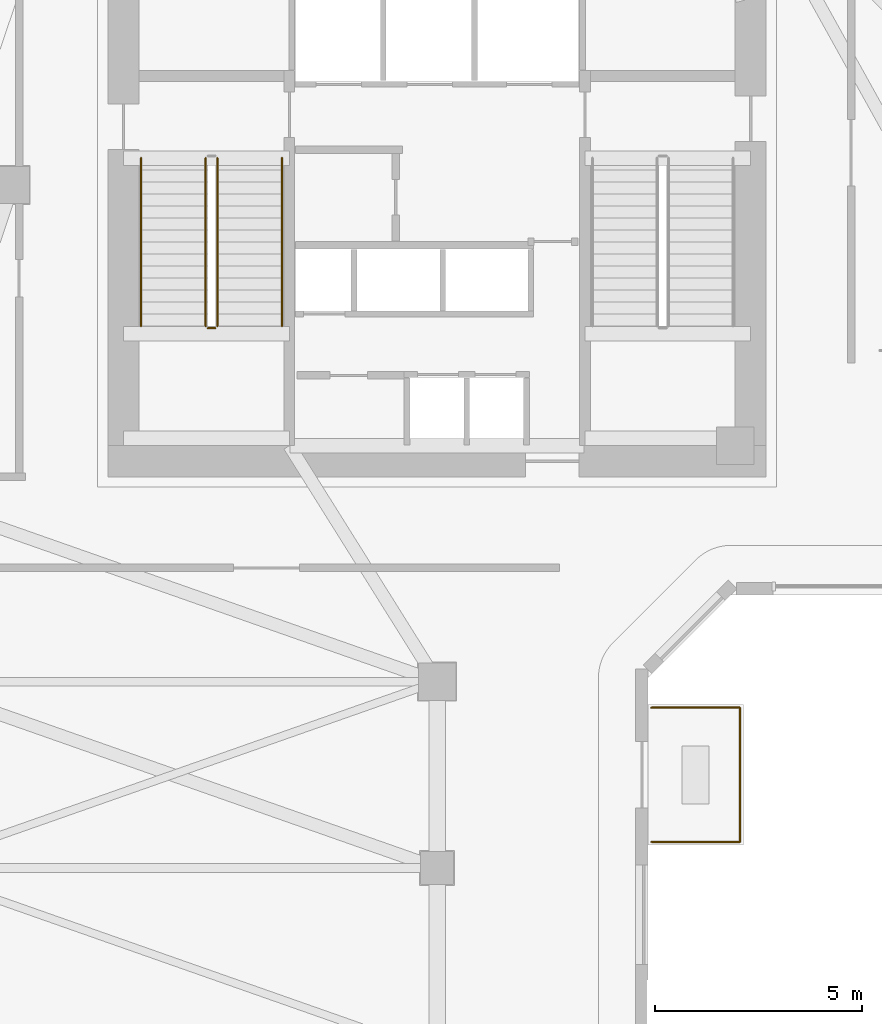
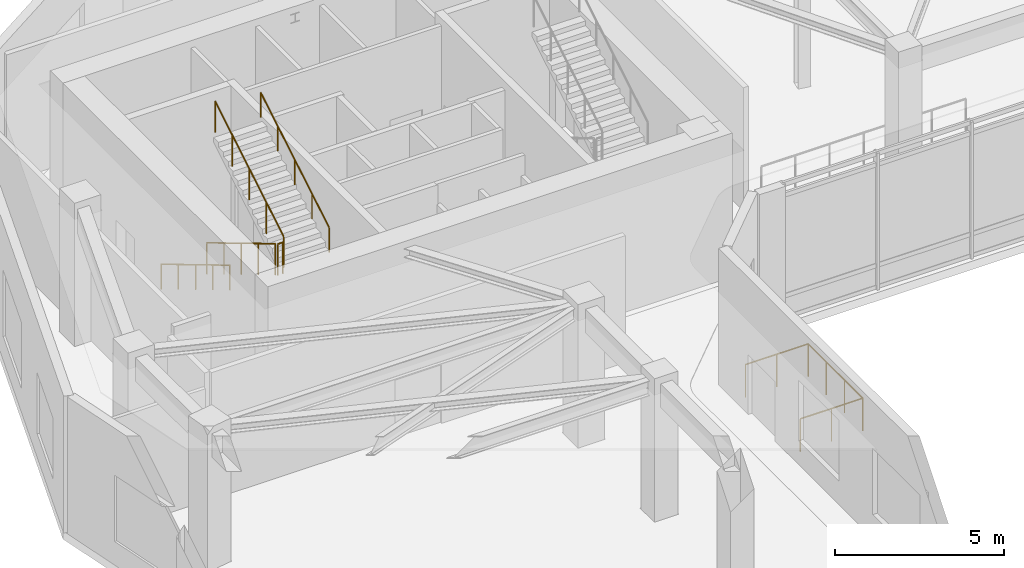
# One storey, part 7 of 9: 8 railings.
"""IFC4 building model written with IfcOpenShell, lengths in metres."""

from ifc_helpers import new_model, si_unit, direction, frame, origin, origin_2d, place, context, subcontext, project, spatial, circle, extrude, material, type_object, element, save


model = new_model("IFC4")

# Units and contexts
model_context = context("Model", 3, precision=1e-05, world=origin(), true_north=direction((0.0, 1.0)))
body_context = subcontext(model_context, "Body", "Model", "MODEL_VIEW")
ifc_project = project(units=[si_unit("LENGTHUNIT", "METRE"), si_unit("AREAUNIT", "SQUARE_METRE"), si_unit("VOLUMEUNIT", "CUBIC_METRE"), si_unit("PLANEANGLEUNIT", "RADIAN"), si_unit("MASSUNIT", "GRAM", prefix="KILO")], contexts=[model_context])

# Site, building, storey
site_placement = place(None, origin())
site = spatial("IfcSite", under=ifc_project, at=site_placement, CompositionType="ELEMENT")
building_placement = place(site_placement, origin())
building = spatial("IfcBuilding", under=site, at=building_placement, Name="Calvemar Wedge Station Tower", CompositionType="ELEMENT")
storey_placement = place(building_placement, frame((0.0, 0.0, 105.39990234375)))
storey = spatial("IfcBuildingStorey", under=building, at=storey_placement, Name="L25", CompositionType="ELEMENT", Elevation=105.39990234375)

# Railings
ifc_material_1 = material(Name="Stainless steel AISI 316L", Category="steel")
railing_type_1 = type_object("IfcRailingType", Name="GRD-TERR-1200", PredefinedType="GUARDRAIL", material=ifc_material_1)
railing_1_placement = place(storey_placement, frame((28.97607421875, 27.8701171875, 0.0)))
element("IfcRailing", 1, at=railing_1_placement, inside=storey, type_object=railing_type_1, Name="Storey L25 Spiral Terrace Guard 2", PredefinedType="GUARDRAIL", context=body_context, shape_type="SweptSolid", body=[
    extrude(circle(Radius=0.02392578125, at=origin_2d()), frame((0.0, 0.0, 1.17578125), z_axis=(1.0, 0.0, 0.0), x_axis=(0.0, 1.0, 0.0)), (0.0, 0.0, 1.0), 2.139892578125),
    extrude(circle(Radius=0.02099609375, at=origin_2d()), origin(), (0.0, 0.0, 1.0), 1.15185546875),
    extrude(circle(Radius=0.02099609375, at=origin_2d()), frame((1.06982421875, 0.0, 0.0)), (0.0, 0.0, 1.0), 1.15185546875),
    extrude(circle(Radius=0.02099609375, at=origin_2d()), frame((2.139892578125, 0.0, 0.0)), (0.0, 0.0, 1.0), 1.15185546875),
])
railing_2_placement = place(storey_placement, frame((31.115966796875, 27.8701171875, 0.0)))
element("IfcRailing", 2, at=railing_2_placement, inside=storey, type_object=railing_type_1, Name="Storey L25 Spiral Terrace Guard 3", PredefinedType="GUARDRAIL", context=body_context, shape_type="SweptSolid", body=[
    extrude(circle(Radius=0.02392578125, at=origin_2d()), frame((0.0, 0.0, 1.17578125), z_axis=(0.0, -1.0, 0.0), x_axis=(1.0, 0.0, 0.0)), (0.0, 0.0, 1.0), 3.240234375),
    extrude(circle(Radius=0.02099609375, at=origin_2d()), origin(), (0.0, 0.0, 1.0), 1.15185546875),
    extrude(circle(Radius=0.02099609375, at=origin_2d()), frame((0.0, -1.080078125, 0.0)), (0.0, 0.0, 1.0), 1.15185546875),
    extrude(circle(Radius=0.02099609375, at=origin_2d()), frame((0.0, -2.16015625, 0.0)), (0.0, 0.0, 1.0), 1.15185546875),
    extrude(circle(Radius=0.02099609375, at=origin_2d()), frame((0.0, -3.240234375, 0.0)), (0.0, 0.0, 1.0), 1.15185546875),
])
railing_3_placement = place(storey_placement, frame((31.115966796875, 24.6298828125, 0.0)))
element("IfcRailing", 3, at=railing_3_placement, inside=storey, type_object=railing_type_1, Name="Storey L25 Spiral Terrace Guard 4", PredefinedType="GUARDRAIL", context=body_context, shape_type="SweptSolid", body=[
    extrude(circle(Radius=0.02392578125, at=origin_2d()), frame((0.0, 0.0, 1.17578125), z_axis=(-1.0, 0.0, 0.0), x_axis=(0.0, -1.0, 0.0)), (0.0, 0.0, 1.0), 2.139892578125),
    extrude(circle(Radius=0.02099609375, at=origin_2d()), origin(), (0.0, 0.0, 1.0), 1.15185546875),
    extrude(circle(Radius=0.02099609375, at=origin_2d()), frame((-1.06982421875, 0.0, 0.0)), (0.0, 0.0, 1.0), 1.15185546875),
    extrude(circle(Radius=0.02099609375, at=origin_2d()), frame((-2.139892578125, 0.0, 0.0)), (0.0, 0.0, 1.0), 1.15185546875),
])
railing_type_2 = type_object("IfcRailingType", Name="RL-HANDRAIL-920", PredefinedType="HANDRAIL", material=ifc_material_1)
railing_4_placement = place(storey_placement, frame((16.64990234375, 41.14990234375, 0.17333984375)))
element("IfcRailing", 4, at=railing_4_placement, inside=storey, type_object=railing_type_2, Name="L25 ST-C1 stair handrail 1", PredefinedType="HANDRAIL", context=body_context, shape_type="SweptSolid", body=[
    extrude(circle(Radius=0.02392578125, at=origin_2d()), frame((0.0, 0.0, 0.89599609375), z_axis=(0.0, -0.858343435637, 0.513075575815), x_axis=(1.0, 0.0, 0.0)), (0.0, 0.0, 1.0), 4.729736328125),
    extrude(circle(Radius=0.02099609375, at=origin_2d()), origin(), (0.0, 0.0, 1.0), 0.871826171875),
    extrude(circle(Radius=0.02099609375, at=origin_2d()), frame((0.0, -1.014892578125, 0.606689453125)), (0.0, 0.0, 1.0), 0.871826171875),
    extrude(circle(Radius=0.02099609375, at=origin_2d()), frame((0.0, -2.02978515625, 1.21337890625)), (0.0, 0.0, 1.0), 0.871826171875),
    extrude(circle(Radius=0.02099609375, at=origin_2d()), frame((0.0, -3.044921875, 1.820068359375)), (0.0, 0.0, 1.0), 0.871826171875),
    extrude(circle(Radius=0.02099609375, at=origin_2d()), frame((0.0, -4.059814453125, 2.4267578125)), (0.0, 0.0, 1.0), 0.871826171875),
])
railing_5_placement = place(storey_placement, frame((20.050048828125, 37.090087890625, 2.7734375)))
element("IfcRailing", 5, at=railing_5_placement, inside=storey, type_object=railing_type_2, Name="L25 ST-C1 stair handrail 2", PredefinedType="HANDRAIL", context=body_context, shape_type="SweptSolid", body=[
    extrude(circle(Radius=0.02392578125, at=origin_2d()), frame((0.0, 0.0, 0.89599609375), z_axis=(0.0, 0.858343435637, 0.513075575815), x_axis=(-1.0, 0.0, 0.0)), (0.0, 0.0, 1.0), 4.729736328125),
    extrude(circle(Radius=0.02099609375, at=origin_2d()), origin(), (0.0, 0.0, 1.0), 0.871826171875),
    extrude(circle(Radius=0.02099609375, at=origin_2d()), frame((0.0, 1.014892578125, 0.606689453125)), (0.0, 0.0, 1.0), 0.871826171875),
    extrude(circle(Radius=0.02099609375, at=origin_2d()), frame((0.0, 2.02978515625, 1.21337890625)), (0.0, 0.0, 1.0), 0.871826171875),
    extrude(circle(Radius=0.02099609375, at=origin_2d()), frame((0.0, 3.044921875, 1.820068359375)), (0.0, 0.0, 1.0), 0.871826171875),
    extrude(circle(Radius=0.02099609375, at=origin_2d()), frame((0.0, 4.059814453125, 2.4267578125)), (0.0, 0.0, 1.0), 0.871826171875),
])
ifc_material_2 = material(Name="Painted steel guardrail ASTM A500 Grade C", Category="steel")
railing_type_3 = type_object("IfcRailingType", Name="RL-STAIR-GUARD-1150", PredefinedType="GUARDRAIL", material=ifc_material_2)
railing_6_placement = place(storey_placement, frame((18.2099609375, 41.14990234375, 0.17333984375)))
element("IfcRailing", 6, at=railing_6_placement, inside=storey, type_object=railing_type_3, Name="L25 ST-C1 stair guard 1", PredefinedType="GUARDRAIL", context=body_context, shape_type="SweptSolid", body=[
    extrude(circle(Radius=0.02392578125, at=origin_2d()), frame((0.0, 0.0, 1.1259765625), z_axis=(0.0, -0.858343435637, 0.513075575815), x_axis=(1.0, 0.0, 0.0)), (0.0, 0.0, 1.0), 4.729736328125),
    extrude(circle(Radius=0.02099609375, at=origin_2d()), origin(), (0.0, 0.0, 1.0), 1.101806640625),
    extrude(circle(Radius=0.02099609375, at=origin_2d()), frame((0.0, -1.014892578125, 0.606689453125)), (0.0, 0.0, 1.0), 1.101806640625),
    extrude(circle(Radius=0.02099609375, at=origin_2d()), frame((0.0, -2.02978515625, 1.21337890625)), (0.0, 0.0, 1.0), 1.101806640625),
    extrude(circle(Radius=0.02099609375, at=origin_2d()), frame((0.0, -3.044921875, 1.820068359375)), (0.0, 0.0, 1.0), 1.101806640625),
    extrude(circle(Radius=0.02099609375, at=origin_2d()), frame((0.0, -4.059814453125, 2.4267578125)), (0.0, 0.0, 1.0), 1.101806640625),
])
railing_7_placement = place(storey_placement, frame((18.260009765625, 37.0400390625, 2.60009765625)))
element("IfcRailing", 7, at=railing_7_placement, inside=storey, type_object=railing_type_3, Name="L25 ST-C1 stair guard 2", PredefinedType="GUARDRAIL", context=body_context, shape_type="SweptSolid", body=[
    extrude(circle(Radius=0.02392578125, at=origin_2d()), frame((0.0, 0.0, 1.1259765625), z_axis=(1.0, 0.0, 0.0), x_axis=(0.0, 1.0, 0.0)), (0.0, 0.0, 1.0), 0.179931640625),
    extrude(circle(Radius=0.02099609375, at=origin_2d()), origin(), (0.0, 0.0, 1.0), 1.101806640625),
    extrude(circle(Radius=0.02099609375, at=origin_2d()), frame((0.179931640625, 0.0, 0.0)), (0.0, 0.0, 1.0), 1.101806640625),
])
railing_8_placement = place(storey_placement, frame((18.489990234375, 37.090087890625, 2.7734375)))
element("IfcRailing", 8, at=railing_8_placement, inside=storey, type_object=railing_type_3, Name="L25 ST-C1 stair guard 3", PredefinedType="GUARDRAIL", context=body_context, shape_type="SweptSolid", body=[
    extrude(circle(Radius=0.02392578125, at=origin_2d()), frame((0.0, 0.0, 1.1259765625), z_axis=(0.0, 0.858343435637, 0.513075575815), x_axis=(-1.0, 0.0, 0.0)), (0.0, 0.0, 1.0), 4.729736328125),
    extrude(circle(Radius=0.02099609375, at=origin_2d()), origin(), (0.0, 0.0, 1.0), 1.101806640625),
    extrude(circle(Radius=0.02099609375, at=origin_2d()), frame((0.0, 1.014892578125, 0.606689453125)), (0.0, 0.0, 1.0), 1.101806640625),
    extrude(circle(Radius=0.02099609375, at=origin_2d()), frame((0.0, 2.02978515625, 1.21337890625)), (0.0, 0.0, 1.0), 1.101806640625),
    extrude(circle(Radius=0.02099609375, at=origin_2d()), frame((0.0, 3.044921875, 1.820068359375)), (0.0, 0.0, 1.0), 1.101806640625),
    extrude(circle(Radius=0.02099609375, at=origin_2d()), frame((0.0, 4.059814453125, 2.4267578125)), (0.0, 0.0, 1.0), 1.101806640625),
])

save(model, "model.ifc")
